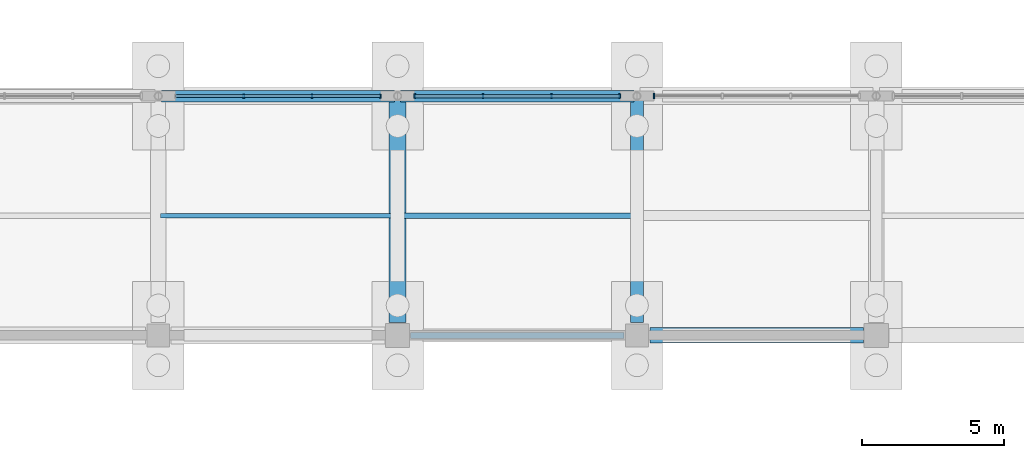
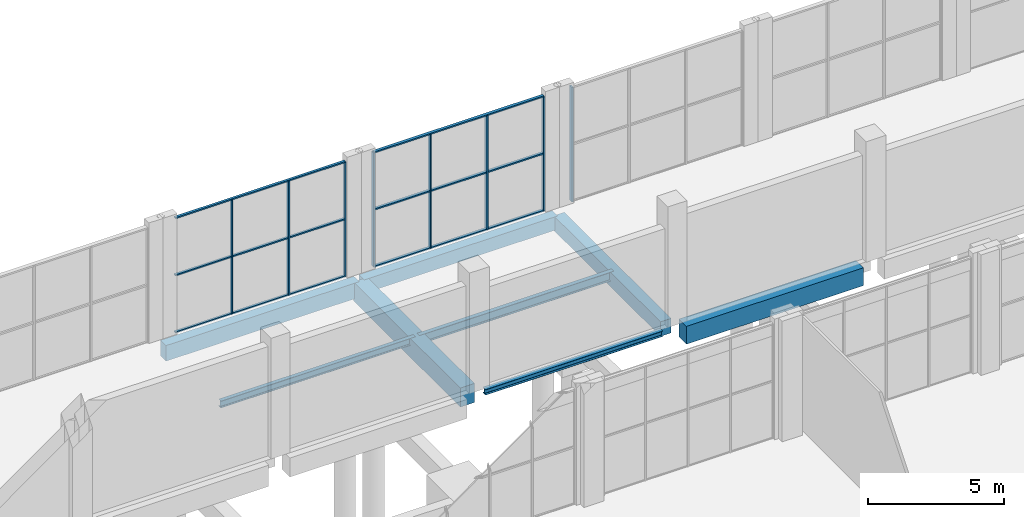
# One storey, part 35 of 82: 14 members, 8 beams, 3 elements without a shape of their own.
"""IFC4 building model written with IfcOpenShell, lengths in metres."""

from ifc_helpers import new_model, si_unit, derived_unit, direction, frame, origin, origin_2d, place, context, subcontext, project, spatial, rectangle, i_section, extrude, material, material_profile, profile_set, type_object, element, aggregate, save


model = new_model("IFC4")

# Units and contexts
model_context = context("Model", 3, precision=1e-05, world=origin(), true_north=direction((0.0, 1.0)))
body_context = subcontext(model_context, "Body", "Model", "MODEL_VIEW")
ifc_project = project(units=[si_unit("LENGTHUNIT", "METRE"), si_unit("AREAUNIT", "SQUARE_METRE"), si_unit("VOLUMEUNIT", "CUBIC_METRE"), si_unit("PLANEANGLEUNIT", "RADIAN"), si_unit("MASSUNIT", "GRAM", prefix="KILO"), derived_unit("THERMALTRANSMITTANCEUNIT", [(si_unit("POWERUNIT", "WATT"), 1), (si_unit("LENGTHUNIT", "METRE"), -2), (si_unit("THERMODYNAMICTEMPERATUREUNIT", "KELVIN"), -1)])], contexts=[model_context])

# Site, building, storey
site_placement = place(None, origin())
site = spatial("IfcSite", under=ifc_project, at=site_placement, CompositionType="ELEMENT")
building_placement = place(site_placement, origin())
building = spatial("IfcBuilding", under=site, at=building_placement, Name="Barrovel Congress Hotel", CompositionType="ELEMENT")
storey_placement = place(building_placement, origin())
storey = spatial("IfcBuildingStorey", under=building, at=storey_placement, Name="L00", CompositionType="ELEMENT", Elevation=0.0)

# Beams
ifc_material_1 = material(Name="Concrete C40", Category="concrete")
ifc_material_profile_1 = material_profile(ifc_material_1, rectangle(XDim=0.39990234375, YDim=0.60009765625, at=origin_2d()), Name="RC400x600")
ifc_profile_set_1 = profile_set([ifc_material_profile_1], Name="Concrete C40")
beam_type_1 = type_object("IfcBeamType", Name="BM-RC400x600", PredefinedType="BEAM", material=ifc_profile_set_1)
beam_1_placement = place(storey_placement, frame((84.109619140625, 46.199951171875, -0.6201171875), z_axis=(1.0, 0.0, 0.0), x_axis=(0.0, 1.0, 0.0)))
element("IfcBeam", 1, at=beam_1_placement, inside=storey, type_object=beam_type_1, Name="BMX:L00:46.2:84.0-92.4", PredefinedType="BEAM", context=body_context, shape_type="SweptSolid", body=[
    extrude(rectangle(XDim=0.39990234375, YDim=0.60009765625, at=origin_2d()), origin(), (0.0, 0.0, 1.0), 8.180908203125),
])
ifc_material_profile_2 = material_profile(ifc_material_1, rectangle(XDim=0.39990234375, YDim=0.699951171875, at=origin_2d()), Name="RC400x700")
ifc_profile_set_2 = profile_set([ifc_material_profile_2], Name="Concrete C40")
beam_type_2 = type_object("IfcBeamType", Name="BM-RC400x700", PredefinedType="BEAM", material=ifc_profile_set_2)
beam_2_placement = place(storey_placement, frame((75.70947265625, 46.199951171875, -0.669921875), z_axis=(1.0, 0.0, 0.0), x_axis=(0.0, 1.0, 0.0)))
element("IfcBeam", 2, at=beam_2_placement, inside=storey, type_object=beam_type_2, Name="BMX:L00:46.2:75.6-84.0", PredefinedType="BEAM", context=body_context, shape_type="SweptSolid", body=[
    extrude(rectangle(XDim=0.39990234375, YDim=0.699951171875, at=origin_2d()), origin(), (0.0, 0.0, 1.0), 8.180908203125),
])
ifc_material_profile_3 = material_profile(ifc_material_1, rectangle(XDim=0.449951171875, YDim=0.64990234375, at=origin_2d()), Name="RC450x650")
ifc_profile_set_3 = profile_set([ifc_material_profile_3], Name="Concrete C40")
beam_type_3 = type_object("IfcBeamType", Name="BM-RC450x650", PredefinedType="BEAM", material=ifc_profile_set_3)
beam_3_placement = place(storey_placement, frame((92.39990234375, 38.25, -0.64501953125), z_axis=(0.0, 1.0, 0.0), x_axis=(-1.0, 0.0, 0.0)))
element("IfcBeam", 3, at=beam_3_placement, inside=storey, type_object=beam_type_3, Name="BMY:L00:92.4:37.8-46.2", PredefinedType="BEAM", context=body_context, shape_type="SweptSolid", body=[
    extrude(rectangle(XDim=0.449951171875, YDim=0.64990234375, at=origin_2d()), origin(), (0.0, 0.0, 1.0), 7.840576171875),
])
ifc_material_profile_4 = material_profile(ifc_material_1, rectangle(XDim=0.550048828125, YDim=0.800048828125, at=origin_2d()), Name="RC550x800")
ifc_profile_set_4 = profile_set([ifc_material_profile_4], Name="Concrete C40")
beam_type_4 = type_object("IfcBeamType", Name="BM-RC550x800", PredefinedType="BEAM", material=ifc_profile_set_4)
beam_4_placement = place(storey_placement, frame((92.85009765625, 37.800048828125, -0.719970703125), z_axis=(1.0, 0.0, 0.0), x_axis=(0.0, 1.0, 0.0)))
element("IfcBeam", 4, at=beam_4_placement, inside=storey, type_object=beam_type_4, Name="BMX:L00:37.8:92.4-100.8", PredefinedType="BEAM", context=body_context, shape_type="SweptSolid", body=[
    extrude(rectangle(XDim=0.550048828125, YDim=0.800048828125, at=origin_2d()), origin(), (0.0, 0.0, 1.0), 7.5),
])
ifc_material_profile_5 = material_profile(ifc_material_1, rectangle(XDim=0.60009765625, YDim=0.85009765625, at=origin_2d()), Name="RC600x850")
ifc_profile_set_5 = profile_set([ifc_material_profile_5], Name="Concrete C40")
beam_type_5 = type_object("IfcBeamType", Name="BM-RC600x850", PredefinedType="BEAM", material=ifc_profile_set_5)
beam_5_placement = place(storey_placement, frame((84.0, 38.25, -0.7451171875), z_axis=(0.0, 1.0, 0.0), x_axis=(-1.0, 0.0, 0.0)))
element("IfcBeam", 5, at=beam_5_placement, inside=storey, type_object=beam_type_5, Name="BMY:L00:84.0:37.8-46.2", PredefinedType="BEAM", context=body_context, shape_type="SweptSolid", body=[
    extrude(rectangle(XDim=0.60009765625, YDim=0.85009765625, at=origin_2d()), origin(), (0.0, 0.0, 1.0), 7.840576171875),
])

# Curtain wall, members
ifc_material_2 = material(Name="Anodised Aluminium Alloy 6063-T6", Category="aluminium")
curtain_wall_type = type_object("IfcCurtainWallType", Name="CW-ST-6400x4200", PredefinedType="USERDEFINED", material=ifc_material_2)
curtain_wall_1_placement = place(storey_placement, origin())
curtain_wall_1 = element("IfcCurtainWall", 6, at=curtain_wall_1_placement, inside=storey, type_object=curtain_wall_type, Name="CW:L00:CL:09", ObjectType="STICK CURTAIN WALL", PredefinedType="USERDEFINED")
ifc_material_profile_6 = material_profile(ifc_material_2, rectangle(XDim=0.06005859375, YDim=0.139892578125, at=origin_2d()), Name="AL-M60x140")
ifc_profile_set_6 = profile_set([ifc_material_profile_6], Name="Anodised Aluminium Alloy 6063-T6")
member_type_1 = type_object("IfcMemberType", Name="CWM-AL-M60x140", PredefinedType="MULLION", material=ifc_profile_set_6)
member_1_placement = place(storey_placement, frame((83.39990234375, 46.199951171875, 0.0), z_axis=(0.0, 0.0, 1.0), x_axis=(1.0, 0.0, 0.0)))
member_1 = element("IfcMember", 7, at=member_1_placement, type_object=member_type_1, Name="CW:L00:CL:09:M0", PredefinedType="MULLION", context=body_context, shape_type="SweptSolid", body=[
    extrude(rectangle(XDim=0.06005859375, YDim=0.139892578125, at=origin_2d()), origin(), (0.0, 0.0, 1.0), 5.1201171875),
])
member_2_placement = place(storey_placement, frame((81.0, 46.199951171875, 0.0), z_axis=(0.0, 0.0, 1.0), x_axis=(1.0, 0.0, 0.0)))
member_2 = element("IfcMember", 8, at=member_2_placement, type_object=member_type_1, Name="CW:L00:CL:09:M1", PredefinedType="MULLION", context=body_context, shape_type="SweptSolid", body=[
    extrude(rectangle(XDim=0.06005859375, YDim=0.139892578125, at=origin_2d()), origin(), (0.0, 0.0, 1.0), 5.1201171875),
])
member_3_placement = place(storey_placement, frame((78.60009765625, 46.199951171875, 0.0), z_axis=(0.0, 0.0, 1.0), x_axis=(1.0, 0.0, 0.0)))
member_3 = element("IfcMember", 9, at=member_3_placement, type_object=member_type_1, Name="CW:L00:CL:09:M2", PredefinedType="MULLION", context=body_context, shape_type="SweptSolid", body=[
    extrude(rectangle(XDim=0.06005859375, YDim=0.139892578125, at=origin_2d()), origin(), (0.0, 0.0, 1.0), 5.1201171875),
])

curtain_wall_2_placement = place(storey_placement, origin())
curtain_wall_2 = element("IfcCurtainWall", 10, at=curtain_wall_2_placement, inside=storey, type_object=curtain_wall_type, Name="CW:L00:CL:10", ObjectType="STICK CURTAIN WALL", PredefinedType="USERDEFINED")
ifc_material_profile_7 = material_profile(ifc_material_2, rectangle(XDim=0.06005859375, YDim=0.1650390625, at=origin_2d()), Name="AL-M60x165")
ifc_profile_set_7 = profile_set([ifc_material_profile_7], Name="Anodised Aluminium Alloy 6063-T6")
member_type_2 = type_object("IfcMemberType", Name="CWM-AL-M60x165", PredefinedType="MULLION", material=ifc_profile_set_7)
member_4_placement = place(storey_placement, frame((91.800048828125, 46.199951171875, 0.0), z_axis=(0.0, 0.0, 1.0), x_axis=(1.0, 0.0, 0.0)))
member_4 = element("IfcMember", 11, at=member_4_placement, type_object=member_type_2, Name="CW:L00:CL:10:M0", PredefinedType="MULLION", context=body_context, shape_type="SweptSolid", body=[
    extrude(rectangle(XDim=0.06005859375, YDim=0.1650390625, at=origin_2d()), origin(), (0.0, 0.0, 1.0), 5.1201171875),
])
member_5_placement = place(storey_placement, frame((89.39990234375, 46.199951171875, 0.0), z_axis=(0.0, 0.0, 1.0), x_axis=(1.0, 0.0, 0.0)))
member_5 = element("IfcMember", 12, at=member_5_placement, type_object=member_type_2, Name="CW:L00:CL:10:M1", PredefinedType="MULLION", context=body_context, shape_type="SweptSolid", body=[
    extrude(rectangle(XDim=0.06005859375, YDim=0.1650390625, at=origin_2d()), origin(), (0.0, 0.0, 1.0), 5.1201171875),
])
member_6_placement = place(storey_placement, frame((87.0, 46.199951171875, 0.0), z_axis=(0.0, 0.0, 1.0), x_axis=(1.0, 0.0, 0.0)))
member_6 = element("IfcMember", 13, at=member_6_placement, type_object=member_type_2, Name="CW:L00:CL:10:M2", PredefinedType="MULLION", context=body_context, shape_type="SweptSolid", body=[
    extrude(rectangle(XDim=0.06005859375, YDim=0.1650390625, at=origin_2d()), origin(), (0.0, 0.0, 1.0), 5.1201171875),
])
member_7_placement = place(storey_placement, frame((84.60009765625, 46.199951171875, 0.0), z_axis=(0.0, 0.0, 1.0), x_axis=(1.0, 0.0, 0.0)))
member_7 = element("IfcMember", 14, at=member_7_placement, type_object=member_type_2, Name="CW:L00:CL:10:M3", PredefinedType="MULLION", context=body_context, shape_type="SweptSolid", body=[
    extrude(rectangle(XDim=0.06005859375, YDim=0.1650390625, at=origin_2d()), origin(), (0.0, 0.0, 1.0), 5.1201171875),
])

# Curtain wall, member
curtain_wall_3_placement = place(storey_placement, origin())
curtain_wall_3 = element("IfcCurtainWall", 15, at=curtain_wall_3_placement, inside=storey, type_object=curtain_wall_type, Name="CW:L00:CL:11", ObjectType="STICK CURTAIN WALL", PredefinedType="USERDEFINED")
ifc_material_profile_8 = material_profile(ifc_material_2, rectangle(XDim=0.06494140625, YDim=0.18994140625, at=origin_2d()), Name="AL-M65x190")
ifc_profile_set_8 = profile_set([ifc_material_profile_8], Name="Anodised Aluminium Alloy 6063-T6")
member_type_3 = type_object("IfcMemberType", Name="CWM-AL-M65x190", PredefinedType="MULLION", material=ifc_profile_set_8)
member_8_placement = place(storey_placement, frame((93.0, 46.199951171875, 0.0), z_axis=(0.0, 0.0, 1.0), x_axis=(1.0, 0.0, 0.0)))
member_8 = element("IfcMember", 16, at=member_8_placement, type_object=member_type_3, Name="CW:L00:CL:11:M3", PredefinedType="MULLION", context=body_context, shape_type="SweptSolid", body=[
    extrude(rectangle(XDim=0.06494140625, YDim=0.18994140625, at=origin_2d()), origin(), (0.0, 0.0, 1.0), 5.1201171875),
])
aggregate(curtain_wall_3, [member_8])

# Member
ifc_material_profile_9 = material_profile(ifc_material_2, rectangle(XDim=0.10498046875, YDim=0.06005859375, at=origin_2d()), Name="AL-T60x105")
ifc_profile_set_9 = profile_set([ifc_material_profile_9], Name="Anodised Aluminium Alloy 6063-T6")
member_type_4 = type_object("IfcMemberType", Name="CWT-AL-T60x105", PredefinedType="USERDEFINED", material=ifc_profile_set_9)
member_9_placement = place(storey_placement, frame((83.39990234375, 46.199951171875, 0.0), z_axis=(-1.0, 0.0, 0.0), x_axis=(0.0, -1.0, 0.0)))
member_9 = element("IfcMember", 17, at=member_9_placement, type_object=member_type_4, Name="CW:L00:CL:09:T0", ObjectType="TRANSOM", PredefinedType="USERDEFINED", context=body_context, shape_type="SweptSolid", body=[
    extrude(rectangle(XDim=0.10498046875, YDim=0.06005859375, at=origin_2d()), origin(), (0.0, 0.0, 1.0), 7.199951171875),
])

member_10_placement = place(storey_placement, frame((83.39990234375, 46.199951171875, 2.56005859375), z_axis=(-1.0, 0.0, 0.0), x_axis=(0.0, -1.0, 0.0)))
member_10 = element("IfcMember", 18, at=member_10_placement, type_object=member_type_4, Name="CW:L00:CL:09:T1", ObjectType="TRANSOM", PredefinedType="USERDEFINED", context=body_context, shape_type="SweptSolid", body=[
    extrude(rectangle(XDim=0.10498046875, YDim=0.06005859375, at=origin_2d()), origin(), (0.0, 0.0, 1.0), 7.199951171875),
])

member_11_placement = place(storey_placement, frame((83.39990234375, 46.199951171875, 5.1201171875), z_axis=(-1.0, 0.0, 0.0), x_axis=(0.0, -1.0, 0.0)))
member_11 = element("IfcMember", 19, at=member_11_placement, type_object=member_type_4, Name="CW:L00:CL:09:T2", ObjectType="TRANSOM", PredefinedType="USERDEFINED", context=body_context, shape_type="SweptSolid", body=[
    extrude(rectangle(XDim=0.10498046875, YDim=0.06005859375, at=origin_2d()), origin(), (0.0, 0.0, 1.0), 7.199951171875),
])

aggregate(curtain_wall_1, [member_1, member_2, member_3, member_9, member_10, member_11])

ifc_material_profile_10 = material_profile(ifc_material_2, rectangle(XDim=0.125, YDim=0.06005859375, at=origin_2d()), Name="AL-T60x125")
ifc_profile_set_10 = profile_set([ifc_material_profile_10], Name="Anodised Aluminium Alloy 6063-T6")
member_type_5 = type_object("IfcMemberType", Name="CWT-AL-T60x125", PredefinedType="USERDEFINED", material=ifc_profile_set_10)
member_12_placement = place(storey_placement, frame((91.800048828125, 46.199951171875, 0.0), z_axis=(-1.0, 0.0, 0.0), x_axis=(0.0, -1.0, 0.0)))
member_12 = element("IfcMember", 20, at=member_12_placement, type_object=member_type_5, Name="CW:L00:CL:10:T0", ObjectType="TRANSOM", PredefinedType="USERDEFINED", context=body_context, shape_type="SweptSolid", body=[
    extrude(rectangle(XDim=0.125, YDim=0.06005859375, at=origin_2d()), origin(), (0.0, 0.0, 1.0), 7.199951171875),
])

member_13_placement = place(storey_placement, frame((91.800048828125, 46.199951171875, 2.56005859375), z_axis=(-1.0, 0.0, 0.0), x_axis=(0.0, -1.0, 0.0)))
member_13 = element("IfcMember", 21, at=member_13_placement, type_object=member_type_5, Name="CW:L00:CL:10:T1", ObjectType="TRANSOM", PredefinedType="USERDEFINED", context=body_context, shape_type="SweptSolid", body=[
    extrude(rectangle(XDim=0.125, YDim=0.06005859375, at=origin_2d()), origin(), (0.0, 0.0, 1.0), 7.199951171875),
])

member_14_placement = place(storey_placement, frame((91.800048828125, 46.199951171875, 5.1201171875), z_axis=(-1.0, 0.0, 0.0), x_axis=(0.0, -1.0, 0.0)))
member_14 = element("IfcMember", 22, at=member_14_placement, type_object=member_type_5, Name="CW:L00:CL:10:T2", ObjectType="TRANSOM", PredefinedType="USERDEFINED", context=body_context, shape_type="SweptSolid", body=[
    extrude(rectangle(XDim=0.125, YDim=0.06005859375, at=origin_2d()), origin(), (0.0, 0.0, 1.0), 7.199951171875),
])

aggregate(curtain_wall_2, [member_4, member_5, member_6, member_7, member_12, member_13, member_14])

# Beams
ifc_material_3 = material(Name="Steel ASTM A992 Grade 50", Category="steel")
ifc_material_profile_11 = material_profile(ifc_material_3, i_section(OverallWidth=0.201904296875, OverallDepth=0.2470703125, WebThickness=0.00732421875, FlangeThickness=0.010986328125, FilletRadius=0.011962890625, at=origin_2d()), Name="W250x49")
ifc_profile_set_11 = profile_set([ifc_material_profile_11], Name="Steel ASTM A992 Grade 50")
beam_type_6 = type_object("IfcBeamType", Name="SBM-W250x49", PredefinedType="SPANDREL", material=ifc_profile_set_11)
beam_6_placement = place(storey_placement, frame((84.449951171875, 37.800048828125, -0.443603515625), z_axis=(1.0, 0.0, 0.0), x_axis=(0.0, 1.0, 0.0)))
element("IfcBeam", 23, at=beam_6_placement, inside=storey, type_object=beam_type_6, Name="BMX:L00:37.8:84.0-92.4", PredefinedType="SPANDREL", context=body_context, shape_type="SweptSolid", body=[
    extrude(i_section(OverallWidth=0.201904296875, OverallDepth=0.2470703125, WebThickness=0.00732421875, FlangeThickness=0.010986328125, FilletRadius=0.011962890625, at=origin_2d()), origin(), (0.0, 0.0, 1.0), 7.5),
])
ifc_material_profile_12 = material_profile(ifc_material_3, i_section(OverallWidth=0.1650390625, OverallDepth=0.31005859375, WebThickness=0.005859375, FlangeThickness=0.009765625, FilletRadius=0.010986328125, at=origin_2d()), Name="W310x39")
ifc_profile_set_12 = profile_set([ifc_material_profile_12], Name="Steel ASTM A992 Grade 50")
beam_type_7 = type_object("IfcBeamType", Name="SBM-W310x39", PredefinedType="JOIST", material=ifc_profile_set_12)
beam_7_placement = place(storey_placement, frame((75.679931640625, 42.0, -0.47509765625), z_axis=(1.0, 0.0, 0.0), x_axis=(0.0, 1.0, 0.0)))
element("IfcBeam", 24, at=beam_7_placement, inside=storey, type_object=beam_type_7, Name="JST:L00:75.6:42.0", PredefinedType="JOIST", context=body_context, shape_type="SweptSolid", body=[
    extrude(i_section(OverallWidth=0.1650390625, OverallDepth=0.31005859375, WebThickness=0.005859375, FlangeThickness=0.009765625, FilletRadius=0.010986328125, at=origin_2d()), origin(), (0.0, 0.0, 1.0), 8.239990234375),
])
ifc_material_profile_13 = material_profile(ifc_material_3, i_section(OverallWidth=0.177001953125, OverallDepth=0.403076171875, WebThickness=0.007568359375, FlangeThickness=0.010986328125, FilletRadius=0.011962890625, at=origin_2d()), Name="W410x53")
ifc_profile_set_13 = profile_set([ifc_material_profile_13], Name="Steel ASTM A992 Grade 50")
beam_type_8 = type_object("IfcBeamType", Name="SBM-W410x53", PredefinedType="JOIST", material=ifc_profile_set_13)
beam_8_placement = place(storey_placement, frame((84.080078125, 42.0, -0.521484375), z_axis=(1.0, 0.0, 0.0), x_axis=(0.0, 1.0, 0.0)))
element("IfcBeam", 25, at=beam_8_placement, inside=storey, type_object=beam_type_8, Name="JST:L00:84.0:42.0", PredefinedType="JOIST", context=body_context, shape_type="SweptSolid", body=[
    extrude(i_section(OverallWidth=0.177001953125, OverallDepth=0.403076171875, WebThickness=0.007568359375, FlangeThickness=0.010986328125, FilletRadius=0.011962890625, at=origin_2d()), origin(), (0.0, 0.0, 1.0), 8.239990234375),
])

save(model, "model.ifc")
